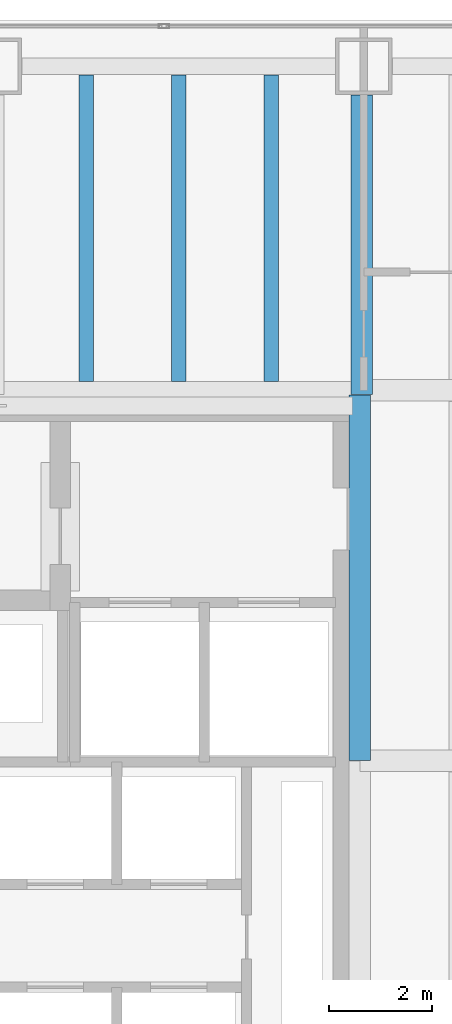
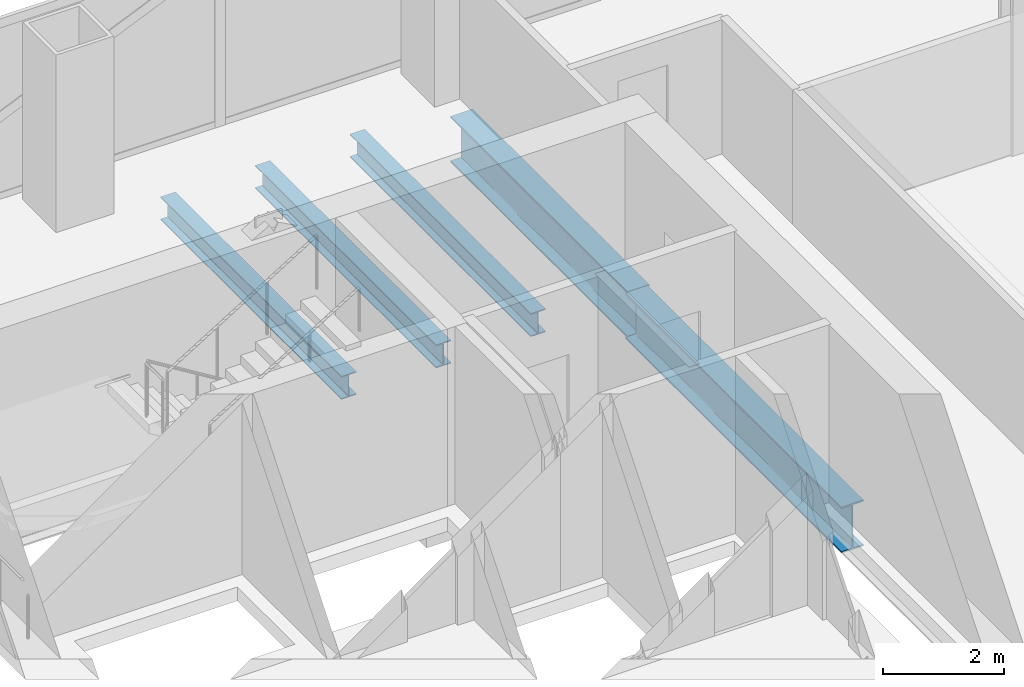
# One storey, part 15 of 25: 5 beams.
"""IFC4 building model written with IfcOpenShell, lengths in metres."""

from ifc_helpers import new_model, si_unit, direction, frame, origin, origin_2d, place, context, subcontext, project, spatial, i_section, extrude, material, material_profile, profile_set, type_object, element, save


model = new_model("IFC4")

# Units and contexts
model_context = context("Model", 3, precision=1e-05, world=origin(), true_north=direction((0.0, 1.0)))
body_context = subcontext(model_context, "Body", "Model", "MODEL_VIEW")
ifc_project = project(units=[si_unit("LENGTHUNIT", "METRE"), si_unit("AREAUNIT", "SQUARE_METRE"), si_unit("VOLUMEUNIT", "CUBIC_METRE"), si_unit("PLANEANGLEUNIT", "RADIAN"), si_unit("MASSUNIT", "GRAM", prefix="KILO")], contexts=[model_context])

# Site, building, storey
site_placement = place(None, origin())
site = spatial("IfcSite", under=ifc_project, at=site_placement, CompositionType="ELEMENT")
building_placement = place(site_placement, origin())
building = spatial("IfcBuilding", under=site, at=building_placement, Name="Cobrela Telecom Tower", CompositionType="ELEMENT")
storey_placement = place(building_placement, frame((0.0, 0.0, 42.699951171875)))
storey = spatial("IfcBuildingStorey", under=building, at=storey_placement, Name="L10", CompositionType="ELEMENT", Elevation=42.699951171875)

# Beams
ifc_material = material(Name="Steel ASTM A992 Grade 50", Category="steel")
ifc_material_profile_1 = material_profile(ifc_material, i_section(OverallWidth=0.4189453125, OverallDepth=0.927001953125, WebThickness=0.019287109375, FlangeThickness=0.031982421875, FilletRadius=0.02392578125, at=origin_2d()), Name="W36X231")
ifc_profile_set_1 = profile_set([ifc_material_profile_1], Name="Steel ASTM A992 Grade 50")
beam_type_1 = type_object("IfcBeamType", Name="BM-GIRD-02", PredefinedType="USERDEFINED", material=ifc_profile_set_1)
beam_1_placement = place(storey_placement, frame((14.320068359375, 28.804931640625, -0.743408203125), z_axis=(0.0, 1.0, 0.0), x_axis=(-1.0, 0.0, 0.0)))
element("IfcBeam", 1, at=beam_1_placement, inside=storey, type_object=beam_type_1, Name="L10 Primary Girder Y38", ObjectType="GIRDER", PredefinedType="USERDEFINED", context=body_context, shape_type="SweptSolid", body=[
    extrude(i_section(OverallWidth=0.4189453125, OverallDepth=0.927001953125, WebThickness=0.019287109375, FlangeThickness=0.031982421875, FilletRadius=0.02392578125, at=origin_2d()), origin(), (0.0, 0.0, 1.0), 7.110107421875),
])
beam_2_placement = place(storey_placement, frame((14.360107421875, 35.925048828125, -0.743408203125), z_axis=(0.0, 1.0, 0.0), x_axis=(-1.0, 0.0, 0.0)))
element("IfcBeam", 2, at=beam_2_placement, inside=storey, type_object=beam_type_1, Name="L10 Primary Girder Y39", ObjectType="GIRDER", PredefinedType="USERDEFINED", context=body_context, shape_type="SweptSolid", body=[
    extrude(i_section(OverallWidth=0.4189453125, OverallDepth=0.927001953125, WebThickness=0.019287109375, FlangeThickness=0.031982421875, FilletRadius=0.02392578125, at=origin_2d()), origin(), (0.0, 0.0, 1.0), 5.820068359375),
])
ifc_material_profile_2 = material_profile(ifc_material, i_section(OverallWidth=0.281982421875, OverallDepth=0.467041015625, WebThickness=0.01220703125, FlangeThickness=0.01953125, FilletRadius=0.012939453125, at=origin_2d()), Name="W18X86")
ifc_profile_set_2 = profile_set([ifc_material_profile_2], Name="Steel ASTM A992 Grade 50")
beam_type_2 = type_object("IfcBeamType", Name="BM-JOIST-02", PredefinedType="JOIST", material=ifc_profile_set_2)
for number, where, z_axis, x_axis, name in (
    (3, (9.0, 36.174560546875, -0.513427734375), (0.0, 1.0, 0.0), (-1.0, 0.0, 0.0), "L10 Secondary Composite Floor Beam J02"),
    (4, (10.800048828125, 36.174560546875, -0.513427734375), (0.0, 1.0, 0.0), (-1.0, 0.0, 0.0), "L10 Secondary Composite Floor Beam J04"),
    (5, (12.60009765625, 36.174560546875, -0.513427734375), (0.0, 1.0, 0.0), (-1.0, 0.0, 0.0), "L10 Secondary Composite Floor Beam J06"),
):
    element("IfcBeam", number, at=place(storey_placement, frame(where, z_axis=z_axis, x_axis=x_axis)), inside=storey, type_object=beam_type_2, Name=name, PredefinedType="JOIST", context=body_context, shape_type="SweptSolid", body=[
        extrude(i_section(OverallWidth=0.281982421875, OverallDepth=0.467041015625, WebThickness=0.01220703125, FlangeThickness=0.01953125, FilletRadius=0.012939453125, at=origin_2d()), origin(), (0.0, 0.0, 1.0), 5.9580078125),
    ])

save(model, "model.ifc")
